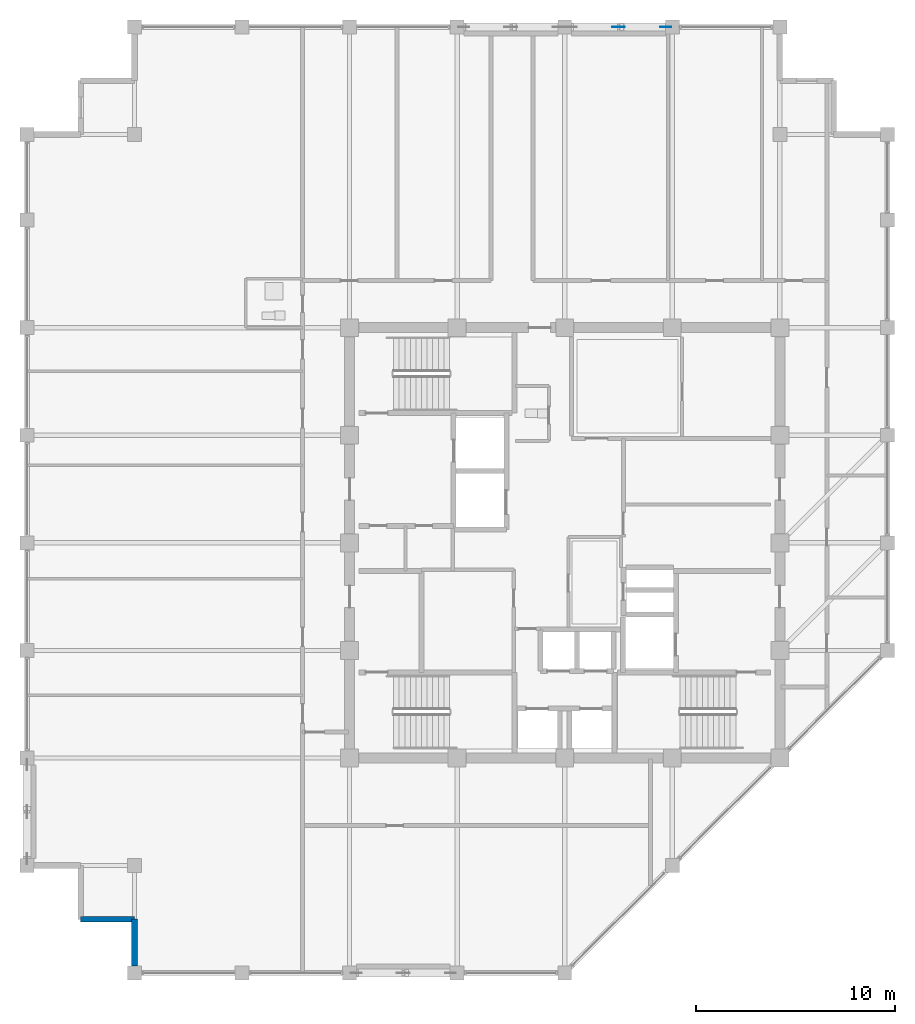
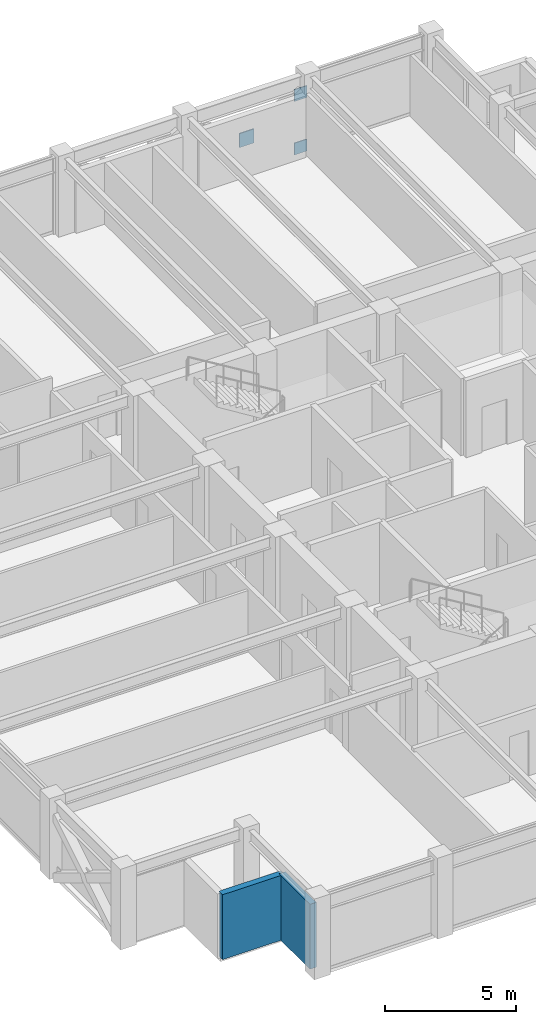
# One storey, part 25 of 31: 3 plates, 2 walls.
"""IFC4 building model written with IfcOpenShell, lengths in metres."""

import ifcopenshell
import ifcopenshell.guid

model = None  # the IFC model being written
_history = None  # IfcOwnerHistory: only IFC2X3 demands one
_inside = {}  # id of a spatial element -> (the spatial element, [elements in it])
_under = {}  # id of a project, library or spatial element -> (it, [spatial elements below it])
_declared = {}  # id of a project -> (the project, [libraries it declares])
_typed = {}  # id of a type object -> (the type object, [elements of that type])
_made_of = {}  # id of a material, layer set ... -> (it, [elements and type objects made of it])


def new_model(schema):
    """Start an empty IFC model of exactly this schema.

    Asked for "IFC4X3", IfcOpenShell would pick the latest addendum, in which some entities
    have other attributes; the version numbers below select the first issue.
    IFC2X3 requires an IfcOwnerHistory on every rooted entity: one is made here for all.
    """
    global model, _history
    if schema == "IFC4X3":
        model = ifcopenshell.file(schema_version=(4, 3, 0, 0))
    else:
        model = ifcopenshell.file(schema=schema)
    _inside.clear()
    _under.clear()
    _declared.clear()
    _typed.clear()
    _made_of.clear()
    _history = None
    if model.schema == "IFC2X3":
        org = make("IfcOrganization", Name="unknown")
        user = make(
            "IfcPersonAndOrganization",
            ThePerson=make("IfcPerson", FamilyName="unknown"),
            TheOrganization=org,
        )
        app = make(
            "IfcApplication",
            ApplicationDeveloper=org,
            Version="unknown",
            ApplicationFullName="unknown",
            ApplicationIdentifier="unknown",
        )
        _history = make(
            "IfcOwnerHistory",
            OwningUser=user,
            OwningApplication=app,
            ChangeAction="ADDED",
            CreationDate=0,
        )
    return model


def make(cls, **values):
    """One entity of the class cls with the attributes given. An attribute that is None is left unset."""
    return model.create_entity(
        cls, **{name: value for name, value in values.items() if value is not None}
    )


def rooted(cls, **values):
    """An entity with a GlobalId (a new one), such as an element, a storey or a relation."""
    return make(cls, GlobalId=ifcopenshell.guid.new(), OwnerHistory=_history, **values)


def si_unit(unit_type, name, prefix=None):
    """IfcSIUnit, for example si_unit("LENGTHUNIT", "METRE", prefix="MILLI")."""
    return make("IfcSIUnit", UnitType=unit_type, Prefix=prefix, Name=name)


def assignment(units):
    """IfcUnitAssignment: the units of a project."""
    return None if units is None else make("IfcUnitAssignment", Units=units)


def point(xyz):
    """IfcCartesianPoint."""
    return None if xyz is None else make("IfcCartesianPoint", Coordinates=xyz)


def direction(xyz):
    """IfcDirection."""
    return None if xyz is None else make("IfcDirection", DirectionRatios=xyz)


def frame(location, z_axis=None, x_axis=None):
    """IfcAxis2Placement3D, a coordinate frame: its origin and axes. An axis left out is left unset."""
    return make(
        "IfcAxis2Placement3D",
        Location=point(location),
        Axis=direction(z_axis),
        RefDirection=direction(x_axis),
    )


def frame_2d(location, x_axis=None):
    """IfcAxis2Placement2D, a coordinate frame in the plane: its origin and x axis."""
    return make(
        "IfcAxis2Placement2D", Location=point(location), RefDirection=direction(x_axis)
    )


def origin():
    """The frame at (0, 0, 0) with its axes left unset."""
    return frame((0.0, 0.0, 0.0))


def origin_2d():
    """The frame at (0, 0) in the plane with its x axis left unset."""
    return frame_2d((0.0, 0.0))


def place(relative_to, where):
    """IfcLocalPlacement: puts the frame where relative to a parent placement (None: the world)."""
    return make(
        "IfcLocalPlacement", PlacementRelTo=relative_to, RelativePlacement=where
    )


def context(
    kind, dimensions, precision=None, world=None, true_north=None, identifier=None
):
    """IfcGeometricRepresentationContext, for example the 3D "Model" context."""
    return make(
        "IfcGeometricRepresentationContext",
        ContextIdentifier=identifier,
        ContextType=kind,
        CoordinateSpaceDimension=dimensions,
        Precision=precision,
        WorldCoordinateSystem=world,
        TrueNorth=true_north,
    )


def subcontext(parent, identifier, kind, view, scale=None):
    """IfcGeometricRepresentationSubContext, for example "Body" below "Model"."""
    return make(
        "IfcGeometricRepresentationSubContext",
        ContextIdentifier=identifier,
        ContextType=kind,
        ParentContext=parent,
        TargetScale=scale,
        TargetView=view,
    )


def project(units=None, contexts=None):
    """IfcProject with its units and contexts."""
    return rooted(
        "IfcProject",
        Name="project",
        RepresentationContexts=contexts,
        UnitsInContext=assignment(units),
    )


def spatial(cls, under=None, at=None, **own):
    """A site, building, storey or space (cls), placed at a placement, below another one or the project."""
    s = rooted(cls, ObjectPlacement=at, **own)
    if under is not None:
        _under.setdefault(under.id(), (under, []))[1].append(s)
    return s


def profile(cls, at=None, kind="AREA", **sizes):
    """A parametric profile (cls). Its sizes go by their IFC names, for example OverallWidth=200.0."""
    return make(cls, ProfileType=kind, Position=at, **sizes)


def rectangle(**sizes):
    """IfcRectangleProfileDef."""
    return profile("IfcRectangleProfileDef", **sizes)


def extrude(swept, where, along, depth):
    """IfcExtrudedAreaSolid: the profile swept, set in the frame where, extruded along a direction by depth."""
    return make(
        "IfcExtrudedAreaSolid",
        SweptArea=swept,
        Position=where,
        ExtrudedDirection=direction(along),
        Depth=depth,
    )


def shape(context_of_items, identifier, shape_type, items):
    """IfcShapeRepresentation: the items that make up one representation, for example the "Body"."""
    return make(
        "IfcShapeRepresentation",
        ContextOfItems=context_of_items,
        RepresentationIdentifier=identifier,
        RepresentationType=shape_type,
        Items=items,
    )


def material(Name=None, Category=None):
    """IfcMaterial."""
    return make("IfcMaterial", Name=Name, Category=Category)


def layer(
    of_material, thickness, ventilated=None, Name=None, Category=None, Priority=None
):
    """IfcMaterialLayer: one layer of a wall or slab, of a material (None: an air gap)."""
    return make(
        "IfcMaterialLayer",
        Material=of_material,
        LayerThickness=thickness,
        IsVentilated=ventilated,
        Name=Name,
        Category=Category,
        Priority=Priority,
    )


def layer_set(layers, Name=None):
    """IfcMaterialLayerSet."""
    return make("IfcMaterialLayerSet", MaterialLayers=layers, LayerSetName=Name)


def made_of(thing, what):
    """Note that an element or type object is made of a material, layer set ...; save() writes the relation."""
    if what is not None:
        _made_of.setdefault(what.id(), (what, []))[1].append(thing)
    return thing


def type_object(cls, material=None, **own):
    """A type object (cls), such as IfcWallType, which elements share."""
    return made_of(rooted(cls, **own), material)


def element(
    cls,
    number,
    at=None,
    inside=None,
    cuts=None,
    type_object=None,
    material=None,
    context=None,
    identifier="Body",
    shape_type=None,
    held_by="IfcProductDefinitionShape",
    body=None,
    shapes=None,
    **own,
):
    """One element of the class cls, such as IfcWall. Its Tag is "e" and its number.

    at: its placement. inside: the storey or other place that contains it. cuts: it is an
    opening in that element (IfcRelVoidsElement). A single representation is given by context,
    identifier, shape_type and body (its items); several are given by shapes. held_by: the class
    of the entity that holds the representations. save() writes the other relations.
    """
    e = rooted(cls, Tag="e%d" % number, ObjectPlacement=at, **own)
    if body is not None:
        shapes = [shape(context, identifier, shape_type, body)]
    if shapes is not None:
        e.Representation = make(held_by, Representations=shapes)
    if inside is not None:
        _inside.setdefault(inside.id(), (inside, []))[1].append(e)
    if cuts is not None:
        rooted(
            "IfcRelVoidsElement", RelatingBuildingElement=cuts, RelatedOpeningElement=e
        )
    if type_object is not None:
        _typed.setdefault(type_object.id(), (type_object, []))[1].append(e)
    return made_of(e, material)


def aggregate(whole, parts):
    """IfcRelAggregates: a whole, such as a stair, and the parts it consists of."""
    return rooted("IfcRelAggregates", RelatingObject=whole, RelatedObjects=parts)


def save(model, path):
    """Write the relations noted so far, then the file.

    IfcRelAggregates (storeys below a building ...), IfcRelContainedInSpatialStructure (elements
    in a storey), IfcRelDefinesByType, IfcRelAssociatesMaterial and IfcRelDeclares: one each for
    every whole, place, type object, material and project.
    """
    for whole, parts in _under.values():
        aggregate(whole, parts)
    for where, things in _inside.values():
        rooted(
            "IfcRelContainedInSpatialStructure",
            RelatedElements=things,
            RelatingStructure=where,
        )
    for kind, things in _typed.values():
        rooted("IfcRelDefinesByType", RelatedObjects=things, RelatingType=kind)
    for what, things in _made_of.values():
        rooted("IfcRelAssociatesMaterial", RelatedObjects=things, RelatingMaterial=what)
    for by, libraries in _declared.values():
        rooted("IfcRelDeclares", RelatingContext=by, RelatedDefinitions=libraries)
    model.write(path)


model = new_model("IFC4")

# Units and contexts
model_context = context("Model", 3, precision=1e-05, world=origin(), true_north=direction((0.0, 1.0)))
body_context = subcontext(model_context, "Body", "Model", "MODEL_VIEW")
ifc_project = project(units=[si_unit("LENGTHUNIT", "METRE"), si_unit("AREAUNIT", "SQUARE_METRE"), si_unit("VOLUMEUNIT", "CUBIC_METRE"), si_unit("PLANEANGLEUNIT", "RADIAN"), si_unit("MASSUNIT", "GRAM", prefix="KILO")], contexts=[model_context])

# Site, building, storey
site_placement = place(None, origin())
site = spatial("IfcSite", under=ifc_project, at=site_placement, CompositionType="ELEMENT")
building_placement = place(site_placement, origin())
building = spatial("IfcBuilding", under=site, at=building_placement, Name="Surkhivell Harbour Commons", CompositionType="ELEMENT")
storey_placement = place(building_placement, frame((0.0, 0.0, 285.0)))
storey = spatial("IfcBuildingStorey", under=building, at=storey_placement, Name="L74", CompositionType="ELEMENT", Elevation=285.0)

# Plates
ifc_material_1 = material(Name="Steel S460", Category="steel")
ifc_layer_1 = layer(ifc_material_1, 0.035888671875)
ifc_layer_set_1 = layer_set([ifc_layer_1], Name="Steel S460")
plate_type_1 = type_object("IfcPlateType", Name="PLT-GUS-550", PredefinedType="USERDEFINED", material=ifc_layer_set_1)
for number, where, z_axis, x_axis, name in (
    (1, (5.06494140625, 25.89990234375, -0.07470703125), (0.0, 0.0, 1.0), (1.0, 0.0, 0.0), "L74 Perimeter Mega-Brace MB- Corner Gusset N2-2"),
    (2, (5.06494140625, 25.89990234375, 2.41357421875), (0.0, 0.0, 1.0), (1.0, 0.0, 0.0), "L74 Perimeter Mega-Brace MB- Corner Gusset N2-4"),
):
    element("IfcPlate", number, at=place(storey_placement, frame(where, z_axis=z_axis, x_axis=x_axis)), inside=storey, type_object=plate_type_1, Name=name, ObjectType="GUSSET_PLATE", PredefinedType="USERDEFINED", context=body_context, shape_type="SweptSolid", body=[
        extrude(rectangle(XDim=0.550048828125, YDim=0.035888671875, at=origin_2d()), origin(), (0.0, 0.0, 1.0), 0.550048828125),
    ])
ifc_layer_2 = layer(ifc_material_1, 0.044921875)
ifc_layer_set_2 = layer_set([ifc_layer_2], Name="Steel S460")
plate_type_2 = type_object("IfcPlateType", Name="PLT-GUS-650", PredefinedType="USERDEFINED", material=ifc_layer_set_2)
plate_placement = place(storey_placement, frame((2.699951171875, 25.89990234375, 1.11962890625), z_axis=(0.0, 0.0, 1.0), x_axis=(1.0, 0.0, 0.0)))
element("IfcPlate", 3, at=plate_placement, inside=storey, type_object=plate_type_2, Name="L74 Perimeter Mega-Brace MB- Central Crossing Gusset N2", ObjectType="GUSSET_PLATE", PredefinedType="USERDEFINED", context=body_context, shape_type="SweptSolid", body=[
    extrude(rectangle(XDim=0.64990234375, YDim=0.044921875, at=origin_2d()), origin(), (0.0, 0.0, 1.0), 0.64990234375),
])

# Walls
ifc_material_2 = material(Name="Terracotta-clad reinforced concrete C45/55", Category="masonry")
ifc_layer_3 = layer(ifc_material_2, 0.280029296875)
ifc_layer_set_3 = layer_set([ifc_layer_3], Name="Terracotta-clad reinforced concrete C45/55")
wall_type = type_object("IfcWallType", Name="WAL-EXT-TER280", PredefinedType="STANDARD", material=ifc_layer_set_3)
wall_1_placement = place(storey_placement, frame((-24.300048828125, -18.89990234375, 0.0), z_axis=(0.0, 0.0, 1.0), x_axis=(1.0, 0.0, 0.0)))
element("IfcWall", 4, at=wall_1_placement, inside=storey, type_object=wall_type, Name="L74 Serrated Corner Facade Wall 15", PredefinedType="STANDARD", context=body_context, shape_type="SweptSolid", body=[
    extrude(rectangle(XDim=2.699951171875, YDim=0.280029296875, at=frame_2d((1.35009765625, 0.0))), origin(), (0.0, 0.0, 1.0), 3.012939453125),
])
wall_2_placement = place(storey_placement, frame((-21.60009765625, -18.89990234375, 0.0), z_axis=(0.0, 0.0, 1.0), x_axis=(0.0, -1.0, 0.0)))
element("IfcWall", 5, at=wall_2_placement, inside=storey, type_object=wall_type, Name="L74 Serrated Corner Facade Wall 16", PredefinedType="STANDARD", context=body_context, shape_type="SweptSolid", body=[
    extrude(rectangle(XDim=2.35205078125, YDim=0.280029296875, at=frame_2d((1.176025390625, 0.0))), origin(), (0.0, 0.0, 1.0), 3.012939453125),
])

save(model, "model.ifc")
